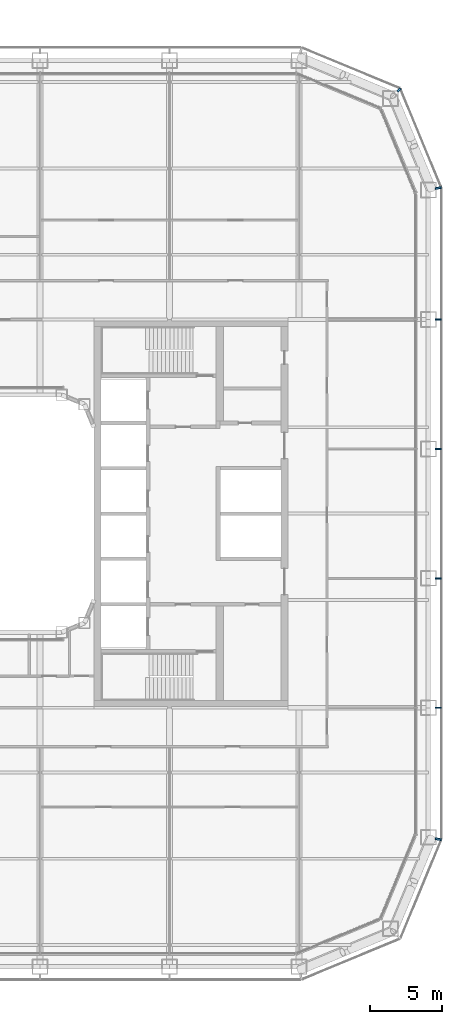
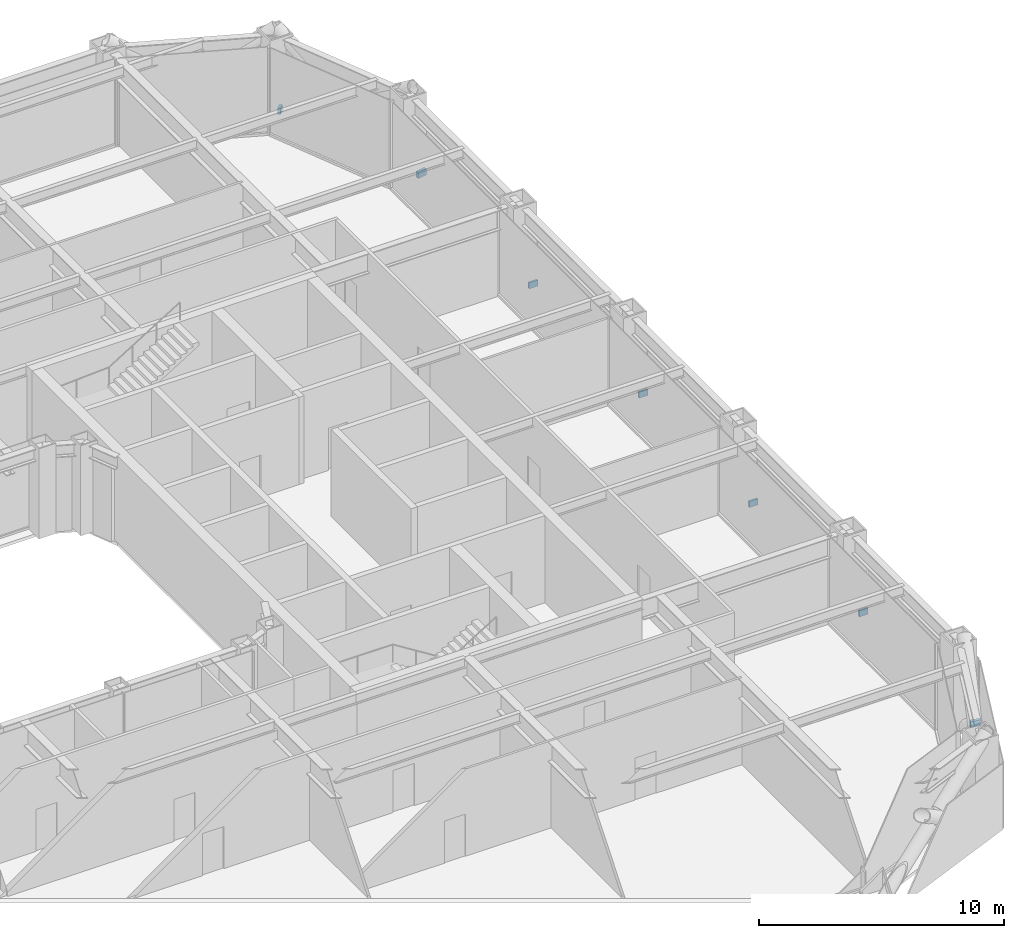
# One storey, part 20 of 28: 7 discrete accessories.
"""IFC4 building model written with IfcOpenShell, lengths in metres."""

import ifcopenshell
import ifcopenshell.guid

model = None  # the IFC model being written
_history = None  # IfcOwnerHistory: only IFC2X3 demands one
_inside = {}  # id of a spatial element -> (the spatial element, [elements in it])
_under = {}  # id of a project, library or spatial element -> (it, [spatial elements below it])
_declared = {}  # id of a project -> (the project, [libraries it declares])
_typed = {}  # id of a type object -> (the type object, [elements of that type])
_made_of = {}  # id of a material, layer set ... -> (it, [elements and type objects made of it])


def new_model(schema):
    """Start an empty IFC model of exactly this schema.

    Asked for "IFC4X3", IfcOpenShell would pick the latest addendum, in which some entities
    have other attributes; the version numbers below select the first issue.
    IFC2X3 requires an IfcOwnerHistory on every rooted entity: one is made here for all.
    """
    global model, _history
    if schema == "IFC4X3":
        model = ifcopenshell.file(schema_version=(4, 3, 0, 0))
    else:
        model = ifcopenshell.file(schema=schema)
    _inside.clear()
    _under.clear()
    _declared.clear()
    _typed.clear()
    _made_of.clear()
    _history = None
    if model.schema == "IFC2X3":
        org = make("IfcOrganization", Name="unknown")
        user = make(
            "IfcPersonAndOrganization",
            ThePerson=make("IfcPerson", FamilyName="unknown"),
            TheOrganization=org,
        )
        app = make(
            "IfcApplication",
            ApplicationDeveloper=org,
            Version="unknown",
            ApplicationFullName="unknown",
            ApplicationIdentifier="unknown",
        )
        _history = make(
            "IfcOwnerHistory",
            OwningUser=user,
            OwningApplication=app,
            ChangeAction="ADDED",
            CreationDate=0,
        )
    return model


def make(cls, **values):
    """One entity of the class cls with the attributes given. An attribute that is None is left unset."""
    return model.create_entity(
        cls, **{name: value for name, value in values.items() if value is not None}
    )


def rooted(cls, **values):
    """An entity with a GlobalId (a new one), such as an element, a storey or a relation."""
    return make(cls, GlobalId=ifcopenshell.guid.new(), OwnerHistory=_history, **values)


def si_unit(unit_type, name, prefix=None):
    """IfcSIUnit, for example si_unit("LENGTHUNIT", "METRE", prefix="MILLI")."""
    return make("IfcSIUnit", UnitType=unit_type, Prefix=prefix, Name=name)


def assignment(units):
    """IfcUnitAssignment: the units of a project."""
    return None if units is None else make("IfcUnitAssignment", Units=units)


def point(xyz):
    """IfcCartesianPoint."""
    return None if xyz is None else make("IfcCartesianPoint", Coordinates=xyz)


def direction(xyz):
    """IfcDirection."""
    return None if xyz is None else make("IfcDirection", DirectionRatios=xyz)


def frame(location, z_axis=None, x_axis=None):
    """IfcAxis2Placement3D, a coordinate frame: its origin and axes. An axis left out is left unset."""
    return make(
        "IfcAxis2Placement3D",
        Location=point(location),
        Axis=direction(z_axis),
        RefDirection=direction(x_axis),
    )


def frame_2d(location, x_axis=None):
    """IfcAxis2Placement2D, a coordinate frame in the plane: its origin and x axis."""
    return make(
        "IfcAxis2Placement2D", Location=point(location), RefDirection=direction(x_axis)
    )


def origin():
    """The frame at (0, 0, 0) with its axes left unset."""
    return frame((0.0, 0.0, 0.0))


def origin_2d():
    """The frame at (0, 0) in the plane with its x axis left unset."""
    return frame_2d((0.0, 0.0))


def place(relative_to, where):
    """IfcLocalPlacement: puts the frame where relative to a parent placement (None: the world)."""
    return make(
        "IfcLocalPlacement", PlacementRelTo=relative_to, RelativePlacement=where
    )


def context(
    kind, dimensions, precision=None, world=None, true_north=None, identifier=None
):
    """IfcGeometricRepresentationContext, for example the 3D "Model" context."""
    return make(
        "IfcGeometricRepresentationContext",
        ContextIdentifier=identifier,
        ContextType=kind,
        CoordinateSpaceDimension=dimensions,
        Precision=precision,
        WorldCoordinateSystem=world,
        TrueNorth=true_north,
    )


def subcontext(parent, identifier, kind, view, scale=None):
    """IfcGeometricRepresentationSubContext, for example "Body" below "Model"."""
    return make(
        "IfcGeometricRepresentationSubContext",
        ContextIdentifier=identifier,
        ContextType=kind,
        ParentContext=parent,
        TargetScale=scale,
        TargetView=view,
    )


def project(units=None, contexts=None):
    """IfcProject with its units and contexts."""
    return rooted(
        "IfcProject",
        Name="project",
        RepresentationContexts=contexts,
        UnitsInContext=assignment(units),
    )


def spatial(cls, under=None, at=None, **own):
    """A site, building, storey or space (cls), placed at a placement, below another one or the project."""
    s = rooted(cls, ObjectPlacement=at, **own)
    if under is not None:
        _under.setdefault(under.id(), (under, []))[1].append(s)
    return s


def profile(cls, at=None, kind="AREA", **sizes):
    """A parametric profile (cls). Its sizes go by their IFC names, for example OverallWidth=200.0."""
    return make(cls, ProfileType=kind, Position=at, **sizes)


def rectangle(**sizes):
    """IfcRectangleProfileDef."""
    return profile("IfcRectangleProfileDef", **sizes)


def extrude(swept, where, along, depth):
    """IfcExtrudedAreaSolid: the profile swept, set in the frame where, extruded along a direction by depth."""
    return make(
        "IfcExtrudedAreaSolid",
        SweptArea=swept,
        Position=where,
        ExtrudedDirection=direction(along),
        Depth=depth,
    )


def shape(context_of_items, identifier, shape_type, items):
    """IfcShapeRepresentation: the items that make up one representation, for example the "Body"."""
    return make(
        "IfcShapeRepresentation",
        ContextOfItems=context_of_items,
        RepresentationIdentifier=identifier,
        RepresentationType=shape_type,
        Items=items,
    )


def material(Name=None, Category=None):
    """IfcMaterial."""
    return make("IfcMaterial", Name=Name, Category=Category)


def made_of(thing, what):
    """Note that an element or type object is made of a material, layer set ...; save() writes the relation."""
    if what is not None:
        _made_of.setdefault(what.id(), (what, []))[1].append(thing)
    return thing


def type_object(cls, material=None, **own):
    """A type object (cls), such as IfcWallType, which elements share."""
    return made_of(rooted(cls, **own), material)


def element(
    cls,
    number,
    at=None,
    inside=None,
    cuts=None,
    type_object=None,
    material=None,
    context=None,
    identifier="Body",
    shape_type=None,
    held_by="IfcProductDefinitionShape",
    body=None,
    shapes=None,
    **own,
):
    """One element of the class cls, such as IfcWall. Its Tag is "e" and its number.

    at: its placement. inside: the storey or other place that contains it. cuts: it is an
    opening in that element (IfcRelVoidsElement). A single representation is given by context,
    identifier, shape_type and body (its items); several are given by shapes. held_by: the class
    of the entity that holds the representations. save() writes the other relations.
    """
    e = rooted(cls, Tag="e%d" % number, ObjectPlacement=at, **own)
    if body is not None:
        shapes = [shape(context, identifier, shape_type, body)]
    if shapes is not None:
        e.Representation = make(held_by, Representations=shapes)
    if inside is not None:
        _inside.setdefault(inside.id(), (inside, []))[1].append(e)
    if cuts is not None:
        rooted(
            "IfcRelVoidsElement", RelatingBuildingElement=cuts, RelatedOpeningElement=e
        )
    if type_object is not None:
        _typed.setdefault(type_object.id(), (type_object, []))[1].append(e)
    return made_of(e, material)


def aggregate(whole, parts):
    """IfcRelAggregates: a whole, such as a stair, and the parts it consists of."""
    return rooted("IfcRelAggregates", RelatingObject=whole, RelatedObjects=parts)


def save(model, path):
    """Write the relations noted so far, then the file.

    IfcRelAggregates (storeys below a building ...), IfcRelContainedInSpatialStructure (elements
    in a storey), IfcRelDefinesByType, IfcRelAssociatesMaterial and IfcRelDeclares: one each for
    every whole, place, type object, material and project.
    """
    for whole, parts in _under.values():
        aggregate(whole, parts)
    for where, things in _inside.values():
        rooted(
            "IfcRelContainedInSpatialStructure",
            RelatedElements=things,
            RelatingStructure=where,
        )
    for kind, things in _typed.values():
        rooted("IfcRelDefinesByType", RelatedObjects=things, RelatingType=kind)
    for what, things in _made_of.values():
        rooted("IfcRelAssociatesMaterial", RelatedObjects=things, RelatingMaterial=what)
    for by, libraries in _declared.values():
        rooted("IfcRelDeclares", RelatingContext=by, RelatedDefinitions=libraries)
    model.write(path)


model = new_model("IFC4")

# Units and contexts
model_context = context("Model", 3, precision=1e-05, world=origin(), true_north=direction((0.0, 1.0)))
body_context = subcontext(model_context, "Body", "Model", "MODEL_VIEW")
ifc_project = project(units=[si_unit("LENGTHUNIT", "METRE"), si_unit("AREAUNIT", "SQUARE_METRE"), si_unit("VOLUMEUNIT", "CUBIC_METRE"), si_unit("PLANEANGLEUNIT", "RADIAN"), si_unit("MASSUNIT", "GRAM", prefix="KILO")], contexts=[model_context])

# Site, building, storey
site_placement = place(None, origin())
site = spatial("IfcSite", under=ifc_project, at=site_placement, CompositionType="ELEMENT")
building_placement = place(site_placement, origin())
building = spatial("IfcBuilding", under=site, at=building_placement, Name="Siwar Civic Tower", CompositionType="ELEMENT")
storey_placement = place(building_placement, frame((0.0, 0.0, 31.199951171875)))
storey = spatial("IfcBuildingStorey", under=building, at=storey_placement, Name="L06", CompositionType="ELEMENT", Elevation=31.199951171875)

# Discrete accessories
ifc_material = material(Name="Stainless steel 316", Category="steel")
discrete_accessory_type = type_object("IfcDiscreteAccessoryType", Name="ENV-BRACKET", PredefinedType="BRACKET", material=ifc_material)
for number, where, z_axis, x_axis, name in (
    (1, (32.18994140625, -13.5, -0.14990234375), (0.0, 0.0, 1.0), (1.0, 0.0, 0.0), "Bracket outer skin joint E-01"),
    (2, (32.18994140625, -4.5, -0.14990234375), (0.0, 0.0, 1.0), (1.0, 0.0, 0.0), "Bracket outer skin joint E-02"),
    (3, (32.18994140625, 4.5, -0.14990234375), (0.0, 0.0, 1.0), (1.0, 0.0, 0.0), "Bracket outer skin joint E-03"),
    (4, (32.18994140625, 13.5, -0.14990234375), (0.0, 0.0, 1.0), (1.0, 0.0, 0.0), "Bracket outer skin joint E-04"),
):
    element("IfcDiscreteAccessory", number, at=place(storey_placement, frame(where, z_axis=z_axis, x_axis=x_axis)), inside=storey, type_object=discrete_accessory_type, Name=name, PredefinedType="BRACKET", context=body_context, shape_type="SweptSolid", body=[
        extrude(rectangle(XDim=0.419921875, YDim=0.10009765625, at=origin_2d()), origin(), (0.0, 0.0, 1.0), 0.300048828125),
    ])
for number, where, z_axis, x_axis, name in (
    (5, (32.190185546875, -22.63720703125, -0.14990234375), (0.0, 0.0, 1.0), (0.980785280403, -0.195090322016, 0.0), "Bracket outer skin joint V03"),
    (6, (32.190185546875, 22.63720703125, -0.14990234375), (0.0, 0.0, 1.0), (0.980785280403, 0.195090322016, 0.0), "Bracket outer skin joint V04"),
):
    element("IfcDiscreteAccessory", number, at=place(storey_placement, frame(where, z_axis=z_axis, x_axis=x_axis)), inside=storey, type_object=discrete_accessory_type, Name=name, PredefinedType="BRACKET", context=body_context, shape_type="SweptSolid", body=[
        extrude(rectangle(XDim=0.427734375, YDim=0.13720703125, at=origin_2d()), origin(), (0.0, 0.0, 1.0), 0.300048828125),
    ])
discrete_accessory_placement = place(storey_placement, frame((29.451416015625, 29.451416015625, -0.14990234375), z_axis=(0.0, 0.0, 1.0), x_axis=(0.707106781187, 0.707106781187, 0.0)))
element("IfcDiscreteAccessory", 7, at=discrete_accessory_placement, inside=storey, type_object=discrete_accessory_type, Name="Bracket outer skin joint V05", PredefinedType="BRACKET", context=body_context, shape_type="SweptSolid", body=[
    extrude(rectangle(XDim=0.287109375, YDim=0.12939453125, at=origin_2d()), origin(), (0.0, 0.0, 1.0), 0.300048828125),
])

save(model, "model.ifc")
